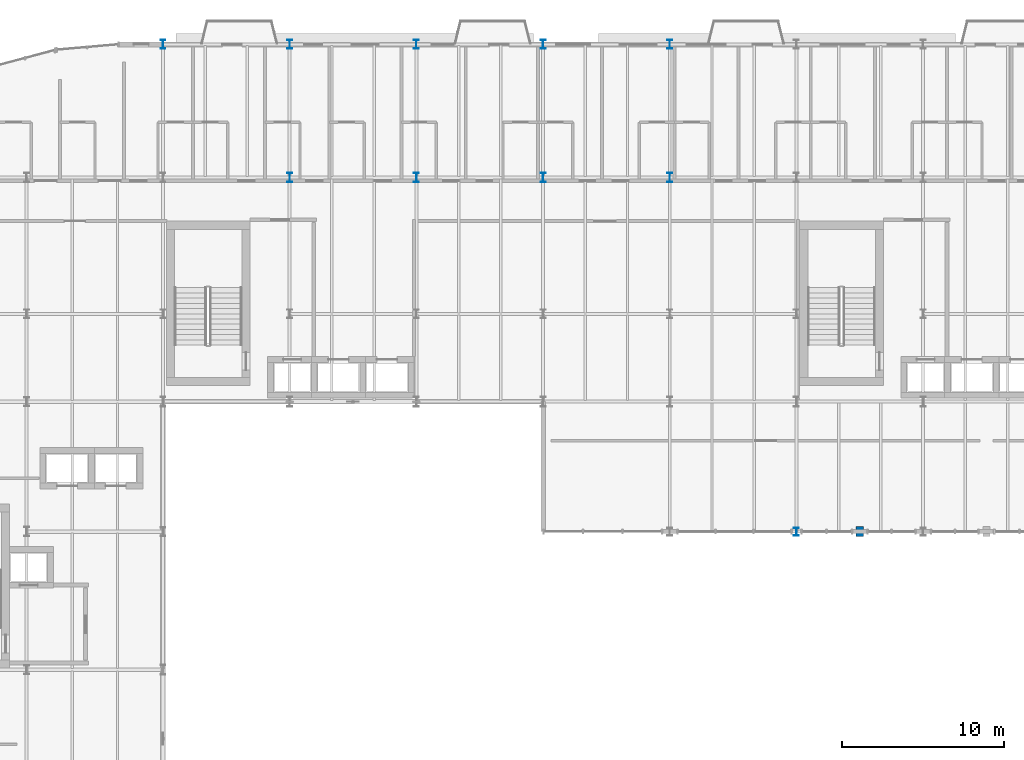
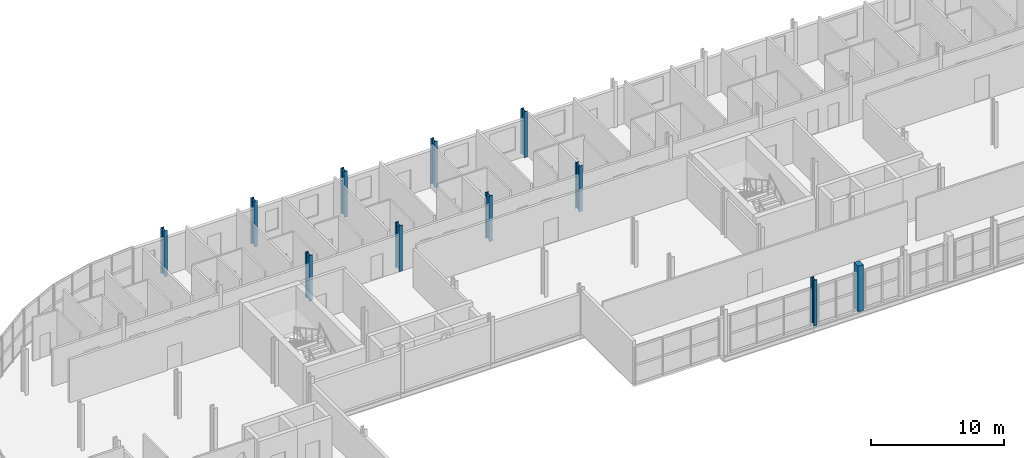
# One storey, part 5 of 45: 11 columns.
"""IFC4 building model written with IfcOpenShell, lengths in metres."""

from ifc_helpers import new_model, si_unit, direction, frame, origin, origin_2d, place, context, subcontext, project, spatial, rectangle, i_section, extrude, material, material_profile, profile_set, type_object, element, save


model = new_model("IFC4")

# Units and contexts
model_context = context("Model", 3, precision=1e-05, world=origin(), true_north=direction((0.0, 1.0)))
body_context = subcontext(model_context, "Body", "Model", "MODEL_VIEW")
ifc_project = project(units=[si_unit("LENGTHUNIT", "METRE"), si_unit("AREAUNIT", "SQUARE_METRE"), si_unit("VOLUMEUNIT", "CUBIC_METRE"), si_unit("PLANEANGLEUNIT", "RADIAN"), si_unit("MASSUNIT", "GRAM", prefix="KILO")], contexts=[model_context])

# Site, building, storey
site_placement = place(None, origin())
site = spatial("IfcSite", under=ifc_project, at=site_placement, CompositionType="ELEMENT")
building_placement = place(site_placement, origin())
building = spatial("IfcBuilding", under=site, at=building_placement, Name="Sefraquen Railside Congress Hotel", CompositionType="ELEMENT")
storey_placement = place(building_placement, frame((0.0, 0.0, 20.39990234375)))
storey = spatial("IfcBuildingStorey", under=building, at=storey_placement, Name="L04", CompositionType="ELEMENT", Elevation=20.39990234375)

# Columns
ifc_material_1 = material(Name="Steel S355JR", Category="steel")
ifc_material_profile_1 = material_profile(ifc_material_1, i_section(OverallWidth=0.300048828125, OverallDepth=0.5, WebThickness=0.014404296875, FlangeThickness=0.028076171875, FilletRadius=0.027099609375, at=origin_2d()), Name="HEB 500")
ifc_profile_set_1 = profile_set([ifc_material_profile_1], Name="Steel S355JR")
column_type_1 = type_object("IfcColumnType", Name="TC-HEB-500", PredefinedType="COLUMN", material=ifc_profile_set_1)
column_1_placement = place(storey_placement, frame((64.199951171875, 88.0, 0.0), z_axis=(0.0, 0.0, 1.0), x_axis=(1.0, 0.0, 0.0)))
element("IfcColumn", 1, at=column_1_placement, inside=storey, type_object=column_type_1, Name="Structural column 9-L L04", PredefinedType="COLUMN", context=body_context, shape_type="SweptSolid", body=[
    extrude(i_section(OverallWidth=0.300048828125, OverallDepth=0.5, WebThickness=0.014404296875, FlangeThickness=0.028076171875, FilletRadius=0.027099609375, at=origin_2d()), origin(), (0.0, 0.0, 1.0), 4.2001953125),
])
ifc_material_profile_2 = material_profile(ifc_material_1, i_section(OverallWidth=0.300048828125, OverallDepth=0.550048828125, WebThickness=0.014892578125, FlangeThickness=0.029052734375, FilletRadius=0.027099609375, at=origin_2d()), Name="HEB 550")
ifc_profile_set_2 = profile_set([ifc_material_profile_2], Name="Steel S355JR")
column_type_2 = type_object("IfcColumnType", Name="TC-HEB-550", PredefinedType="COLUMN", material=ifc_profile_set_2)
for number, where, z_axis, x_axis, name in (
    (2, (25.199951171875, 118.0, 0.0), (0.0, 0.0, 1.0), (1.0, 0.0, 0.0), "Structural column 4-Q L04"),
    (3, (33.0, 118.0, 0.0), (0.0, 0.0, 1.0), (1.0, 0.0, 0.0), "Structural column 5-Q L04"),
    (4, (40.800048828125, 118.0, 0.0), (0.0, 0.0, 1.0), (1.0, 0.0, 0.0), "Structural column 6-Q L04"),
    (5, (48.60009765625, 118.0, 0.0), (0.0, 0.0, 1.0), (1.0, 0.0, 0.0), "Structural column 7-Q L04"),
    (6, (56.39990234375, 118.0, 0.0), (0.0, 0.0, 1.0), (1.0, 0.0, 0.0), "Structural column 8-Q L04"),
):
    element("IfcColumn", number, at=place(storey_placement, frame(where, z_axis=z_axis, x_axis=x_axis)), inside=storey, type_object=column_type_2, Name=name, PredefinedType="COLUMN", context=body_context, shape_type="SweptSolid", body=[
        extrude(i_section(OverallWidth=0.300048828125, OverallDepth=0.550048828125, WebThickness=0.014892578125, FlangeThickness=0.029052734375, FilletRadius=0.027099609375, at=origin_2d()), origin(), (0.0, 0.0, 1.0), 4.2001953125),
    ])
ifc_material_profile_3 = material_profile(ifc_material_1, i_section(OverallWidth=0.300048828125, OverallDepth=0.60009765625, WebThickness=0.015380859375, FlangeThickness=0.030029296875, FilletRadius=0.027099609375, at=origin_2d()), Name="HEB 600")
ifc_profile_set_3 = profile_set([ifc_material_profile_3], Name="Steel S355JR")
column_type_3 = type_object("IfcColumnType", Name="TC-HEB-600", PredefinedType="COLUMN", material=ifc_profile_set_3)
for number, where, z_axis, x_axis, name in (
    (7, (33.0, 109.800048828125, 0.0), (0.0, 0.0, 1.0), (1.0, 0.0, 0.0), "Structural column 5-P L04"),
    (8, (40.800048828125, 109.800048828125, 0.0), (0.0, 0.0, 1.0), (1.0, 0.0, 0.0), "Structural column 6-P L04"),
    (9, (48.60009765625, 109.800048828125, 0.0), (0.0, 0.0, 1.0), (1.0, 0.0, 0.0), "Structural column 7-P L04"),
    (10, (56.39990234375, 109.800048828125, 0.0), (0.0, 0.0, 1.0), (1.0, 0.0, 0.0), "Structural column 8-P L04"),
):
    element("IfcColumn", number, at=place(storey_placement, frame(where, z_axis=z_axis, x_axis=x_axis)), inside=storey, type_object=column_type_3, Name=name, PredefinedType="COLUMN", context=body_context, shape_type="SweptSolid", body=[
        extrude(i_section(OverallWidth=0.300048828125, OverallDepth=0.60009765625, WebThickness=0.015380859375, FlangeThickness=0.030029296875, FilletRadius=0.027099609375, at=origin_2d()), origin(), (0.0, 0.0, 1.0), 4.2001953125),
    ])
ifc_material_2 = material(Name="Concrete C50/60", Category="concrete")
ifc_material_profile_4 = material_profile(ifc_material_2, rectangle(XDim=0.449951171875, YDim=0.60009765625, at=origin_2d()), Name="RC 600x450")
ifc_profile_set_4 = profile_set([ifc_material_profile_4], Name="Concrete C50/60")
column_type_4 = type_object("IfcColumnType", Name="TC-PIL-600", PredefinedType="PILASTER", material=ifc_profile_set_4)
column_2_placement = place(storey_placement, frame((68.10009765625, 88.0, 0.0), z_axis=(0.0, 0.0, 1.0), x_axis=(1.0, 0.0, 0.0)))
element("IfcColumn", 11, at=column_2_placement, inside=storey, type_object=column_type_4, Name="Courtyard limestone pilaster CPIL-N1 L04", PredefinedType="PILASTER", context=body_context, shape_type="SweptSolid", body=[
    extrude(rectangle(XDim=0.449951171875, YDim=0.60009765625, at=origin_2d()), origin(), (0.0, 0.0, 1.0), 4.2001953125),
])

save(model, "model.ifc")
